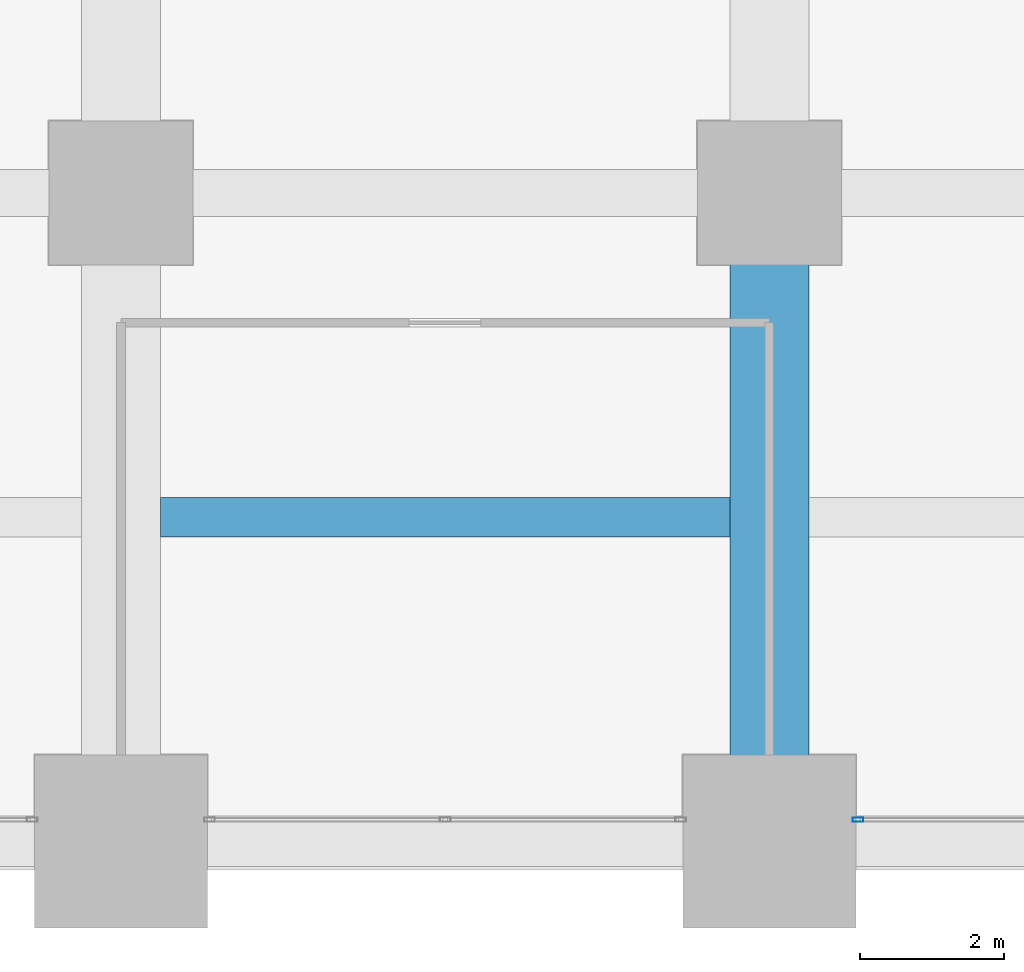
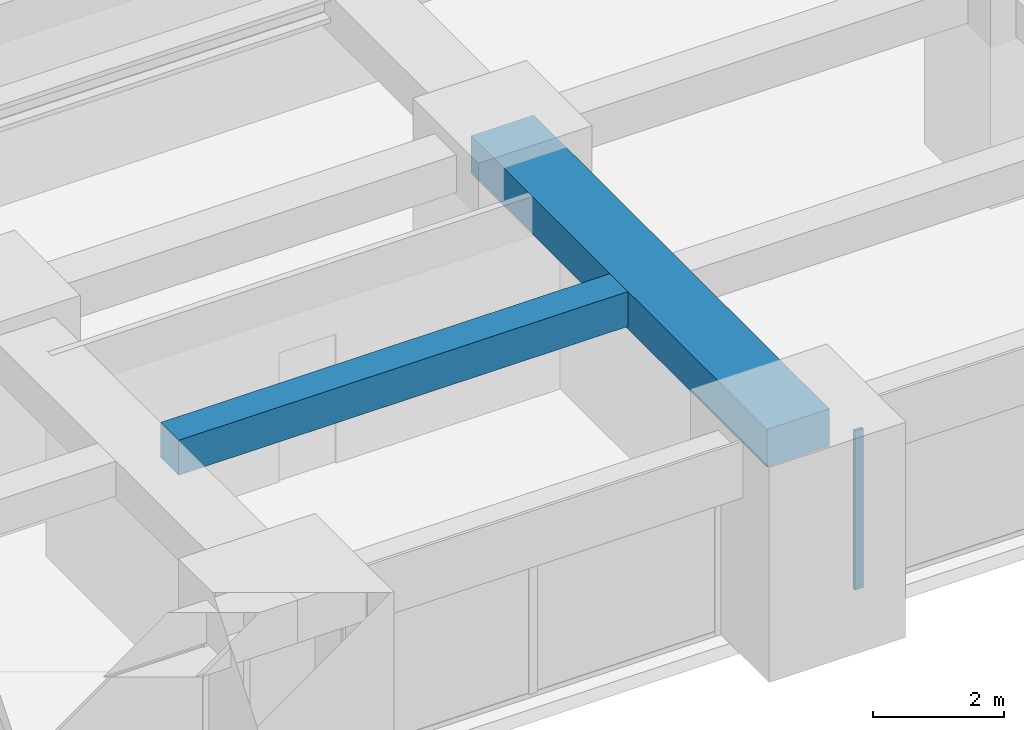
# One storey, part 14 of 39: 2 beams, 1 member, 1 element without a shape of its own.
"""IFC4 building model written with IfcOpenShell, lengths in metres."""

from ifc_helpers import new_model, si_unit, direction, frame, origin, origin_2d, place, context, subcontext, project, spatial, rectangle, hollow_rectangle, extrude, material, material_profile, profile_set, type_object, element, aggregate, save


model = new_model("IFC4")

# Units and contexts
model_context = context("Model", 3, precision=1e-05, world=origin(), true_north=direction((0.0, 1.0)))
body_context = subcontext(model_context, "Body", "Model", "MODEL_VIEW")
ifc_project = project(units=[si_unit("LENGTHUNIT", "METRE"), si_unit("AREAUNIT", "SQUARE_METRE"), si_unit("VOLUMEUNIT", "CUBIC_METRE"), si_unit("PLANEANGLEUNIT", "RADIAN"), si_unit("MASSUNIT", "GRAM", prefix="KILO")], contexts=[model_context])

# Site, building, storey
site_placement = place(None, origin())
site = spatial("IfcSite", under=ifc_project, at=site_placement, CompositionType="ELEMENT")
building_placement = place(site_placement, origin())
building = spatial("IfcBuilding", under=site, at=building_placement, Name="Zorevar Civic Tower", CompositionType="ELEMENT")
storey_placement = place(building_placement, frame((0.0, 0.0, 117.0)))
storey = spatial("IfcBuildingStorey", under=building, at=storey_placement, Name="L28", CompositionType="ELEMENT", Elevation=117.0)

# Beams
ifc_material_1 = material(Name="Concrete C50/60", Category="concrete")
ifc_material_profile_1 = material_profile(ifc_material_1, rectangle(XDim=1.10009765625, YDim=0.699951171875, at=origin_2d()), Name="RC 1100x700")
ifc_profile_set_1 = profile_set([ifc_material_profile_1], Name="Concrete C50/60")
beam_type_1 = type_object("IfcBeamType", Name="Beam RC 1100x700", PredefinedType="BEAM", material=ifc_profile_set_1)
beam_1_placement = place(storey_placement, frame((45.0, 0.0, 3.39990234375), z_axis=(0.0, 1.0, 0.0), x_axis=(-1.0, 0.0, 0.0)))
element("IfcBeam", 1, at=beam_1_placement, inside=storey, type_object=beam_type_1, Name="Girder L29", PredefinedType="BEAM", context=body_context, shape_type="SweptSolid", body=[
    extrude(rectangle(XDim=1.10009765625, YDim=0.699951171875, at=origin_2d()), origin(), (0.0, 0.0, 1.0), 9.0),
])
ifc_material_2 = material(Name="Concrete C50/60", Category="concrete")
ifc_material_profile_2 = material_profile(ifc_material_2, rectangle(XDim=0.550048828125, YDim=0.64990234375, at=origin_2d()), Name="RC 550x650")
ifc_profile_set_2 = profile_set([ifc_material_profile_2], Name="Concrete C50/60")
beam_type_2 = type_object("IfcBeamType", Name="Beam RC 550x650", PredefinedType="BEAM", material=ifc_profile_set_2)
beam_2_placement = place(storey_placement, frame((36.550048828125, 4.5, 3.425048828125), z_axis=(1.0, 0.0, 0.0), x_axis=(0.0, 1.0, 0.0)))
element("IfcBeam", 2, at=beam_2_placement, inside=storey, type_object=beam_type_2, Name="Secondary beam L29", PredefinedType="BEAM", context=body_context, shape_type="SweptSolid", body=[
    extrude(rectangle(XDim=0.550048828125, YDim=0.64990234375, at=origin_2d()), origin(), (0.0, 0.0, 1.0), 7.89990234375),
])

# Curtain wall, member
ifc_material_3 = material(Name="Dark grey solar-control glass in black aluminium frame", Category="aluminium")
curtain_wall_type = type_object("IfcCurtainWallType", Name="Curtain wall CW3 mid zone", PredefinedType="NOTDEFINED", material=ifc_material_3)
curtain_wall_placement = place(storey_placement, origin())
curtain_wall = element("IfcCurtainWall", 3, at=curtain_wall_placement, inside=storey, type_object=curtain_wall_type, Name="CW3 L28", PredefinedType="NOTDEFINED")
ifc_material_4 = material(Name="Aluminium, black anodised", Category="aluminium")
ifc_material_profile_3 = material_profile(ifc_material_4, hollow_rectangle(XDim=0.06005859375, YDim=0.14990234375, WallThickness=0.00390625, at=origin_2d()), Name="AL 150x60x4")
ifc_profile_set_3 = profile_set([ifc_material_profile_3], Name="Aluminium, black anodised")
member_type = type_object("IfcMemberType", Name="CW3 mullion AL 150x60x4", PredefinedType="MULLION", material=ifc_profile_set_3)
member_placement = place(storey_placement, frame((46.22998046875, 0.300048828125, 0.0), z_axis=(0.0, 0.0, 1.0), x_axis=(0.0, 1.0, 0.0)))
member = element("IfcMember", 4, at=member_placement, type_object=member_type, Name="CW3 mullion 1", PredefinedType="MULLION", context=body_context, shape_type="SweptSolid", body=[
    extrude(hollow_rectangle(XDim=0.06005859375, YDim=0.14990234375, WallThickness=0.00390625, at=origin_2d()), origin(), (0.0, 0.0, 1.0), 2.949951171875),
])
aggregate(curtain_wall, [member])

save(model, "model.ifc")
